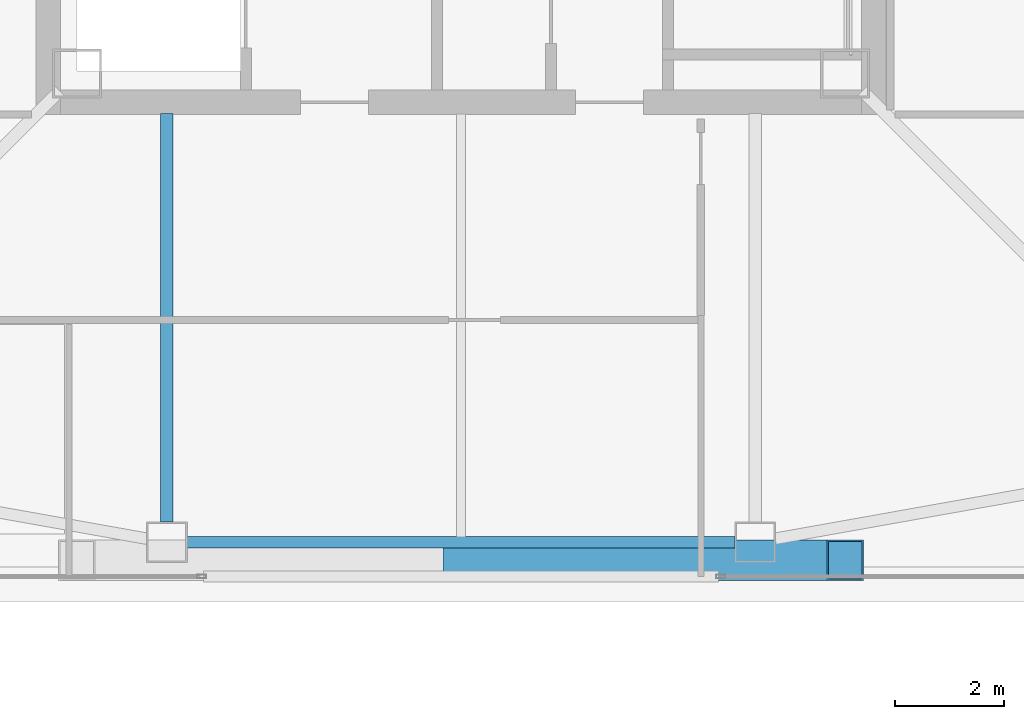
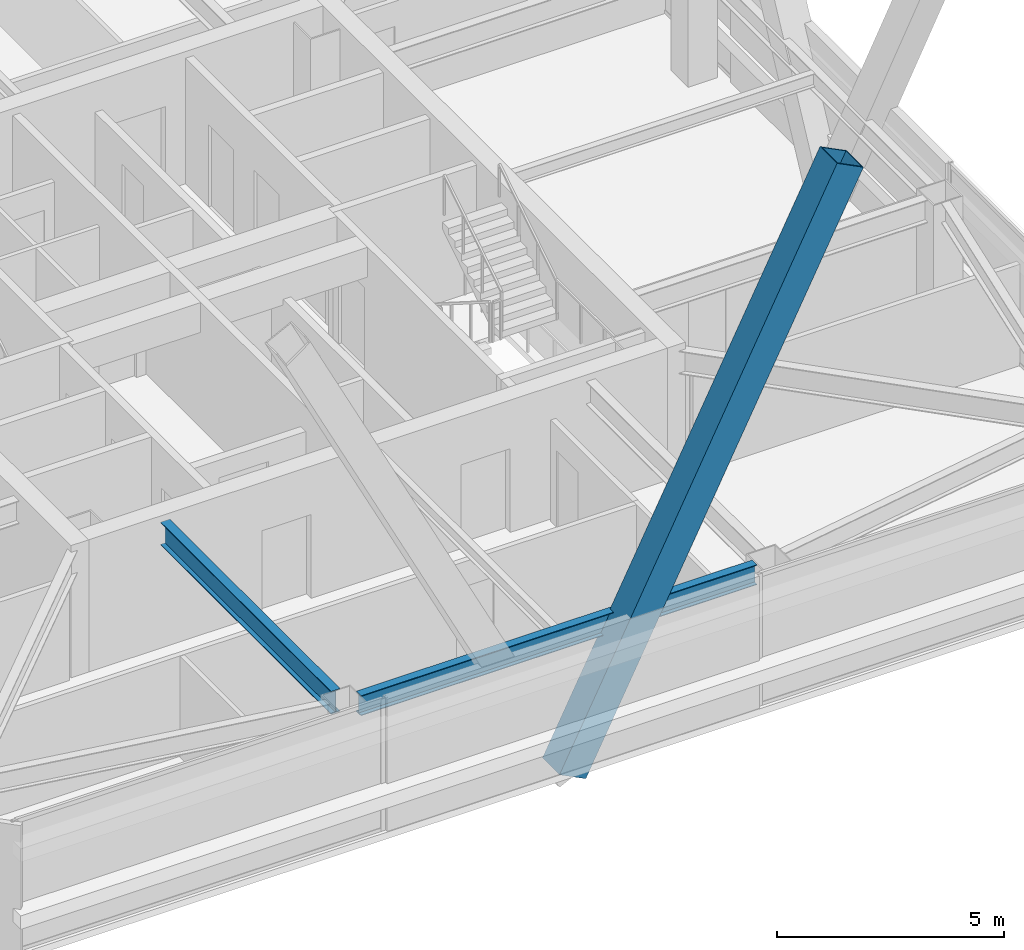
# One storey, part 6 of 47: 2 beams, 1 member.
"""IFC4 building model written with IfcOpenShell, lengths in metres."""

from ifc_helpers import new_model, si_unit, direction, frame, origin, origin_2d, place, context, subcontext, project, spatial, hollow_rectangle, i_section, extrude, material, material_profile, profile_set, type_object, element, save


model = new_model("IFC4")

# Units and contexts
model_context = context("Model", 3, precision=1e-05, world=origin(), true_north=direction((0.0, 1.0)))
body_context = subcontext(model_context, "Body", "Model", "MODEL_VIEW")
ifc_project = project(units=[si_unit("LENGTHUNIT", "METRE"), si_unit("AREAUNIT", "SQUARE_METRE"), si_unit("VOLUMEUNIT", "CUBIC_METRE"), si_unit("PLANEANGLEUNIT", "RADIAN"), si_unit("MASSUNIT", "GRAM", prefix="KILO")], contexts=[model_context])

# Site, building, storey
site_placement = place(None, origin())
site = spatial("IfcSite", under=ifc_project, at=site_placement, CompositionType="ELEMENT")
building_placement = place(site_placement, origin())
building = spatial("IfcBuilding", under=site, at=building_placement, Name="Tashvorn Skyway Center", CompositionType="ELEMENT")
storey_placement = place(building_placement, frame((0.0, 0.0, 204.199951171875)))
storey = spatial("IfcBuildingStorey", under=building, at=storey_placement, Name="L55", CompositionType="ELEMENT", Elevation=204.199951171875)

# Beams
ifc_material_1 = material(Name="Steel ASTM A992 Grade 50", Category="steel")
ifc_material_profile_1 = material_profile(ifc_material_1, i_section(OverallWidth=0.22998046875, OverallDepth=0.616943359375, WebThickness=0.01318359375, FlangeThickness=0.022216796875, at=origin_2d()), Name="W24X94")
ifc_profile_set_1 = profile_set([ifc_material_profile_1], Name="Steel ASTM A992 Grade 50")
beam_type_1 = type_object("IfcBeamType", Name="BM-BEAM-W24X94", PredefinedType="BEAM", material=ifc_profile_set_1)
beam_1_placement = place(storey_placement, frame((36.60009765625, 16.719970703125, 3.0615234375), z_axis=(0.0, 1.0, 0.0), x_axis=(-1.0, 0.0, 0.0)))
element("IfcBeam", 1, at=beam_1_placement, inside=storey, type_object=beam_type_1, Name="Tower 1 L55 Primary Floor Girder FC-S1", PredefinedType="BEAM", context=body_context, shape_type="SweptSolid", body=[
    extrude(i_section(OverallWidth=0.22998046875, OverallDepth=0.616943359375, WebThickness=0.01318359375, FlangeThickness=0.022216796875, at=origin_2d()), origin(), (0.0, 0.0, 1.0), 7.5),
])
ifc_material_profile_2 = material_profile(ifc_material_1, i_section(OverallWidth=0.2109375, OverallDepth=0.5390625, WebThickness=0.01171875, FlangeThickness=0.018798828125, at=origin_2d()), Name="W21X73")
ifc_profile_set_2 = profile_set([ifc_material_profile_2], Name="Steel ASTM A992 Grade 50")
beam_type_2 = type_object("IfcBeamType", Name="BM-SPANDREL-W21X73", PredefinedType="SPANDREL", material=ifc_profile_set_2)
beam_2_placement = place(storey_placement, frame((36.969970703125, 16.35009765625, 3.1005859375), z_axis=(1.0, 0.0, 0.0), x_axis=(0.0, 1.0, 0.0)))
element("IfcBeam", 2, at=beam_2_placement, inside=storey, type_object=beam_type_2, Name="Tower 1 L55 Spandrel Beam 02", PredefinedType="SPANDREL", context=body_context, shape_type="SweptSolid", body=[
    extrude(i_section(OverallWidth=0.2109375, OverallDepth=0.5390625, WebThickness=0.01171875, FlangeThickness=0.018798828125, at=origin_2d()), origin(), (0.0, 0.0, 1.0), 10.06005859375),
])

# Member
ifc_material_2 = material(Name="Steel ASTM A572 Grade 50", Category="steel")
ifc_material_profile_3 = material_profile(ifc_material_2, hollow_rectangle(XDim=0.75, YDim=0.75, WallThickness=0.031982421875, at=origin_2d()), Name="BOX750x750x32")
ifc_profile_set_3 = profile_set([ifc_material_profile_3], Name="Steel ASTM A572 Grade 50")
member_type = type_object("IfcMemberType", Name="MEM-MB-750", PredefinedType="BRACE", material=ifc_profile_set_3)
member_placement = place(storey_placement, frame((42.0, 16.02001953125, -0.199951171875), z_axis=(0.451051930666, 0.0, 0.892497706351), x_axis=(0.0, 1.0, 0.0)))
element("IfcMember", 3, at=member_placement, inside=storey, type_object=member_type, Name="Tower 1 Zone 5 S Chevron Mega-Brace R1", PredefinedType="BRACE", context=body_context, shape_type="SweptSolid", body=[
    extrude(hollow_rectangle(XDim=0.75, YDim=0.75, WallThickness=0.031982421875, at=origin_2d()), origin(), (0.0, 0.0, 1.0), 15.630126953125),
])

save(model, "model.ifc")
